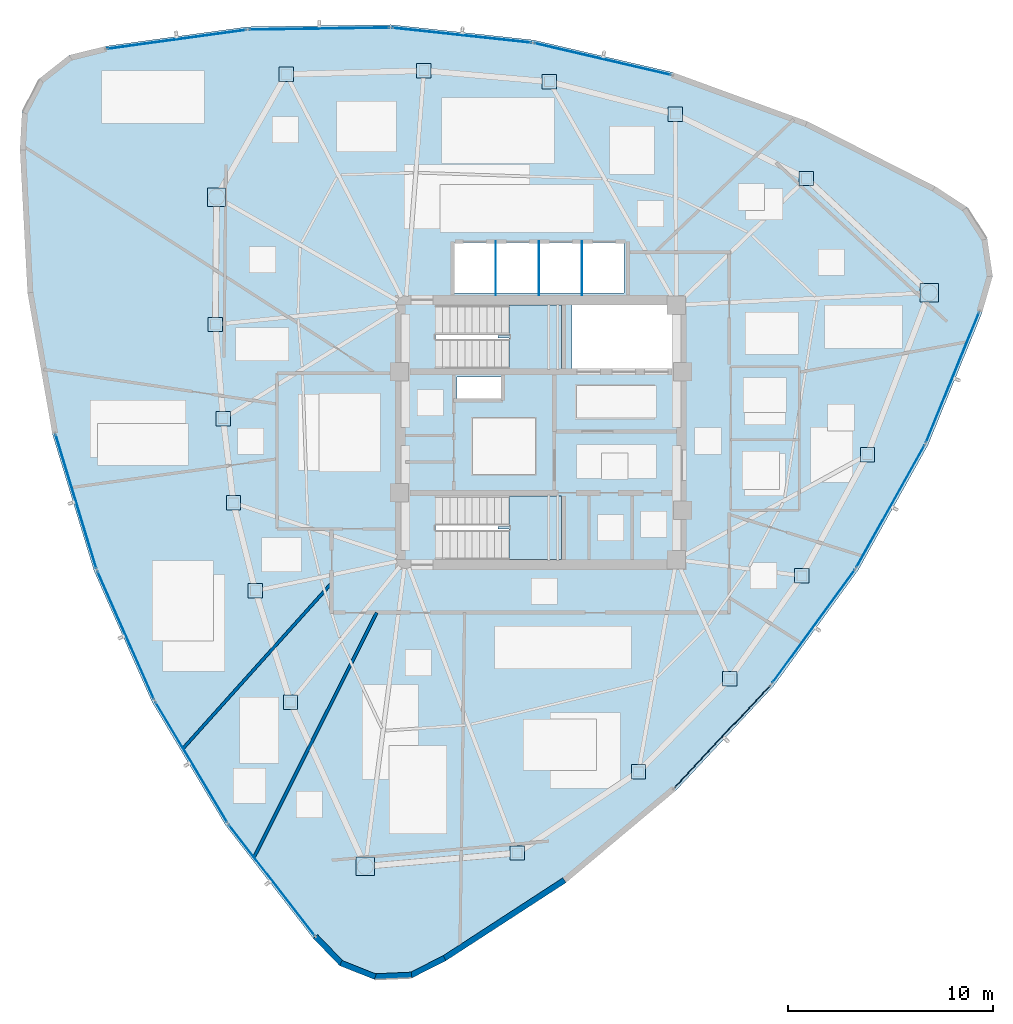
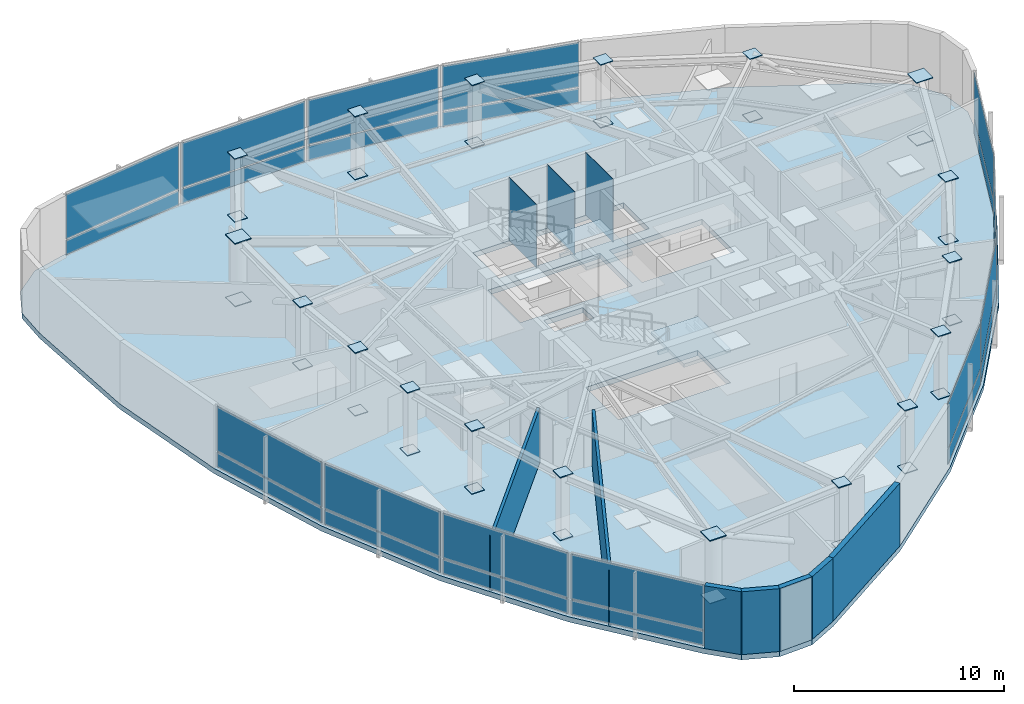
# One storey, part 8 of 14: 63 plates, 7 walls, 3 slabs, 14 elements without a shape of their own.
"""IFC4 building model written with IfcOpenShell, lengths in metres."""

import ifcopenshell
import ifcopenshell.guid

model = None  # the IFC model being written
_history = None  # IfcOwnerHistory: only IFC2X3 demands one
_inside = {}  # id of a spatial element -> (the spatial element, [elements in it])
_under = {}  # id of a project, library or spatial element -> (it, [spatial elements below it])
_declared = {}  # id of a project -> (the project, [libraries it declares])
_typed = {}  # id of a type object -> (the type object, [elements of that type])
_made_of = {}  # id of a material, layer set ... -> (it, [elements and type objects made of it])


def new_model(schema):
    """Start an empty IFC model of exactly this schema.

    Asked for "IFC4X3", IfcOpenShell would pick the latest addendum, in which some entities
    have other attributes; the version numbers below select the first issue.
    IFC2X3 requires an IfcOwnerHistory on every rooted entity: one is made here for all.
    """
    global model, _history
    if schema == "IFC4X3":
        model = ifcopenshell.file(schema_version=(4, 3, 0, 0))
    else:
        model = ifcopenshell.file(schema=schema)
    _inside.clear()
    _under.clear()
    _declared.clear()
    _typed.clear()
    _made_of.clear()
    _history = None
    if model.schema == "IFC2X3":
        org = make("IfcOrganization", Name="unknown")
        user = make(
            "IfcPersonAndOrganization",
            ThePerson=make("IfcPerson", FamilyName="unknown"),
            TheOrganization=org,
        )
        app = make(
            "IfcApplication",
            ApplicationDeveloper=org,
            Version="unknown",
            ApplicationFullName="unknown",
            ApplicationIdentifier="unknown",
        )
        _history = make(
            "IfcOwnerHistory",
            OwningUser=user,
            OwningApplication=app,
            ChangeAction="ADDED",
            CreationDate=0,
        )
    return model


def make(cls, **values):
    """One entity of the class cls with the attributes given. An attribute that is None is left unset."""
    return model.create_entity(
        cls, **{name: value for name, value in values.items() if value is not None}
    )


def rooted(cls, **values):
    """An entity with a GlobalId (a new one), such as an element, a storey or a relation."""
    return make(cls, GlobalId=ifcopenshell.guid.new(), OwnerHistory=_history, **values)


def si_unit(unit_type, name, prefix=None):
    """IfcSIUnit, for example si_unit("LENGTHUNIT", "METRE", prefix="MILLI")."""
    return make("IfcSIUnit", UnitType=unit_type, Prefix=prefix, Name=name)


def assignment(units):
    """IfcUnitAssignment: the units of a project."""
    return None if units is None else make("IfcUnitAssignment", Units=units)


def point(xyz):
    """IfcCartesianPoint."""
    return None if xyz is None else make("IfcCartesianPoint", Coordinates=xyz)


def direction(xyz):
    """IfcDirection."""
    return None if xyz is None else make("IfcDirection", DirectionRatios=xyz)


def frame(location, z_axis=None, x_axis=None):
    """IfcAxis2Placement3D, a coordinate frame: its origin and axes. An axis left out is left unset."""
    return make(
        "IfcAxis2Placement3D",
        Location=point(location),
        Axis=direction(z_axis),
        RefDirection=direction(x_axis),
    )


def frame_2d(location, x_axis=None):
    """IfcAxis2Placement2D, a coordinate frame in the plane: its origin and x axis."""
    return make(
        "IfcAxis2Placement2D", Location=point(location), RefDirection=direction(x_axis)
    )


def origin():
    """The frame at (0, 0, 0) with its axes left unset."""
    return frame((0.0, 0.0, 0.0))


def origin_2d():
    """The frame at (0, 0) in the plane with its x axis left unset."""
    return frame_2d((0.0, 0.0))


def place(relative_to, where):
    """IfcLocalPlacement: puts the frame where relative to a parent placement (None: the world)."""
    return make(
        "IfcLocalPlacement", PlacementRelTo=relative_to, RelativePlacement=where
    )


def context(
    kind, dimensions, precision=None, world=None, true_north=None, identifier=None
):
    """IfcGeometricRepresentationContext, for example the 3D "Model" context."""
    return make(
        "IfcGeometricRepresentationContext",
        ContextIdentifier=identifier,
        ContextType=kind,
        CoordinateSpaceDimension=dimensions,
        Precision=precision,
        WorldCoordinateSystem=world,
        TrueNorth=true_north,
    )


def subcontext(parent, identifier, kind, view, scale=None):
    """IfcGeometricRepresentationSubContext, for example "Body" below "Model"."""
    return make(
        "IfcGeometricRepresentationSubContext",
        ContextIdentifier=identifier,
        ContextType=kind,
        ParentContext=parent,
        TargetScale=scale,
        TargetView=view,
    )


def project(units=None, contexts=None):
    """IfcProject with its units and contexts."""
    return rooted(
        "IfcProject",
        Name="project",
        RepresentationContexts=contexts,
        UnitsInContext=assignment(units),
    )


def spatial(cls, under=None, at=None, **own):
    """A site, building, storey or space (cls), placed at a placement, below another one or the project."""
    s = rooted(cls, ObjectPlacement=at, **own)
    if under is not None:
        _under.setdefault(under.id(), (under, []))[1].append(s)
    return s


def polyline(points):
    """IfcPolyline through the points."""
    return make("IfcPolyline", Points=[point(p) for p in points])


def profile(cls, at=None, kind="AREA", **sizes):
    """A parametric profile (cls). Its sizes go by their IFC names, for example OverallWidth=200.0."""
    return make(cls, ProfileType=kind, Position=at, **sizes)


def rectangle(**sizes):
    """IfcRectangleProfileDef."""
    return profile("IfcRectangleProfileDef", **sizes)


def outline(outer, holes=None, kind="AREA"):
    """IfcArbitraryClosedProfileDef: a profile drawn as a closed curve; with holes, ...WithVoids."""
    if holes is None:
        return make("IfcArbitraryClosedProfileDef", ProfileType=kind, OuterCurve=outer)
    return make(
        "IfcArbitraryProfileDefWithVoids",
        ProfileType=kind,
        OuterCurve=outer,
        InnerCurves=holes,
    )


def extrude(swept, where, along, depth):
    """IfcExtrudedAreaSolid: the profile swept, set in the frame where, extruded along a direction by depth."""
    return make(
        "IfcExtrudedAreaSolid",
        SweptArea=swept,
        Position=where,
        ExtrudedDirection=direction(along),
        Depth=depth,
    )


def shape(context_of_items, identifier, shape_type, items):
    """IfcShapeRepresentation: the items that make up one representation, for example the "Body"."""
    return make(
        "IfcShapeRepresentation",
        ContextOfItems=context_of_items,
        RepresentationIdentifier=identifier,
        RepresentationType=shape_type,
        Items=items,
    )


def source(mapping_origin, context_of_items, identifier, shape_type, items):
    """IfcRepresentationMap: a shape defined once, which mapped items show again and again."""
    return make(
        "IfcRepresentationMap",
        MappingOrigin=mapping_origin,
        MappedRepresentation=shape(context_of_items, identifier, shape_type, items),
    )


def transform(
    local_origin,
    x_axis=None,
    y_axis=None,
    z_axis=None,
    scale=None,
    scale2=None,
    scale3=None,
    uniform=True,
):
    """IfcCartesianTransformationOperator3D, or its non-uniform kind. x_axis, y_axis, z_axis: its Axis1, 2, 3."""
    if uniform:
        return make(
            "IfcCartesianTransformationOperator3D",
            Axis1=direction(x_axis),
            Axis2=direction(y_axis),
            LocalOrigin=point(local_origin),
            Scale=scale,
            Axis3=direction(z_axis),
        )
    return make(
        "IfcCartesianTransformationOperator3DnonUniform",
        Axis1=direction(x_axis),
        Axis2=direction(y_axis),
        LocalOrigin=point(local_origin),
        Scale=scale,
        Axis3=direction(z_axis),
        Scale2=scale2,
        Scale3=scale3,
    )


def mapped(mapping_source, mapping_target):
    """IfcMappedItem: shows the shape of a source again, moved by a transform."""
    return make(
        "IfcMappedItem", MappingSource=mapping_source, MappingTarget=mapping_target
    )


def material(Name=None, Category=None):
    """IfcMaterial."""
    return make("IfcMaterial", Name=Name, Category=Category)


def layer(
    of_material, thickness, ventilated=None, Name=None, Category=None, Priority=None
):
    """IfcMaterialLayer: one layer of a wall or slab, of a material (None: an air gap)."""
    return make(
        "IfcMaterialLayer",
        Material=of_material,
        LayerThickness=thickness,
        IsVentilated=ventilated,
        Name=Name,
        Category=Category,
        Priority=Priority,
    )


def layer_set(layers, Name=None):
    """IfcMaterialLayerSet."""
    return make("IfcMaterialLayerSet", MaterialLayers=layers, LayerSetName=Name)


def made_of(thing, what):
    """Note that an element or type object is made of a material, layer set ...; save() writes the relation."""
    if what is not None:
        _made_of.setdefault(what.id(), (what, []))[1].append(thing)
    return thing


def type_object(cls, material=None, **own):
    """A type object (cls), such as IfcWallType, which elements share."""
    return made_of(rooted(cls, **own), material)


def type_shapes(of_type, sources):
    """Give a type object the sources (RepresentationMaps) that its elements show as mapped items."""
    of_type.RepresentationMaps = sources


def element(
    cls,
    number,
    at=None,
    inside=None,
    cuts=None,
    type_object=None,
    material=None,
    context=None,
    identifier="Body",
    shape_type=None,
    held_by="IfcProductDefinitionShape",
    body=None,
    shapes=None,
    **own,
):
    """One element of the class cls, such as IfcWall. Its Tag is "e" and its number.

    at: its placement. inside: the storey or other place that contains it. cuts: it is an
    opening in that element (IfcRelVoidsElement). A single representation is given by context,
    identifier, shape_type and body (its items); several are given by shapes. held_by: the class
    of the entity that holds the representations. save() writes the other relations.
    """
    e = rooted(cls, Tag="e%d" % number, ObjectPlacement=at, **own)
    if body is not None:
        shapes = [shape(context, identifier, shape_type, body)]
    if shapes is not None:
        e.Representation = make(held_by, Representations=shapes)
    if inside is not None:
        _inside.setdefault(inside.id(), (inside, []))[1].append(e)
    if cuts is not None:
        rooted(
            "IfcRelVoidsElement", RelatingBuildingElement=cuts, RelatedOpeningElement=e
        )
    if type_object is not None:
        _typed.setdefault(type_object.id(), (type_object, []))[1].append(e)
    return made_of(e, material)


def aggregate(whole, parts):
    """IfcRelAggregates: a whole, such as a stair, and the parts it consists of."""
    return rooted("IfcRelAggregates", RelatingObject=whole, RelatedObjects=parts)


def save(model, path):
    """Write the relations noted so far, then the file.

    IfcRelAggregates (storeys below a building ...), IfcRelContainedInSpatialStructure (elements
    in a storey), IfcRelDefinesByType, IfcRelAssociatesMaterial and IfcRelDeclares: one each for
    every whole, place, type object, material and project.
    """
    for whole, parts in _under.values():
        aggregate(whole, parts)
    for where, things in _inside.values():
        rooted(
            "IfcRelContainedInSpatialStructure",
            RelatedElements=things,
            RelatingStructure=where,
        )
    for kind, things in _typed.values():
        rooted("IfcRelDefinesByType", RelatedObjects=things, RelatingType=kind)
    for what, things in _made_of.values():
        rooted("IfcRelAssociatesMaterial", RelatedObjects=things, RelatingMaterial=what)
    for by, libraries in _declared.values():
        rooted("IfcRelDeclares", RelatingContext=by, RelatedDefinitions=libraries)
    model.write(path)


model = new_model("IFC4")

# Units and contexts
model_context = context("Model", 3, precision=1e-05, world=origin(), true_north=direction((0.0, 1.0)))
body_context = subcontext(model_context, "Body", "Model", "MODEL_VIEW")
ifc_project = project(units=[si_unit("LENGTHUNIT", "METRE"), si_unit("AREAUNIT", "SQUARE_METRE"), si_unit("VOLUMEUNIT", "CUBIC_METRE"), si_unit("PLANEANGLEUNIT", "RADIAN"), si_unit("MASSUNIT", "GRAM", prefix="KILO")], contexts=[model_context])

# Site, building, storey
site_placement = place(None, origin())
site = spatial("IfcSite", under=ifc_project, at=site_placement, CompositionType="ELEMENT")
building_placement = place(site_placement, origin())
building = spatial("IfcBuilding", under=site, at=building_placement, Name="Tavelor Broadcast Tower", CompositionType="ELEMENT")
storey_placement = place(building_placement, frame((0.0, 0.0, 253.75)))
storey = spatial("IfcBuildingStorey", under=building, at=storey_placement, Name="L60", CompositionType="ELEMENT", Elevation=253.75)

# Stair, slab
ifc_material_1 = material(Name="Concrete C40/50", Category="concrete")
stair_type = type_object("IfcStairType", Name="Reinforced Concrete Protected Dogleg Stair 1450 mm", PredefinedType="HALF_TURN_STAIR", material=ifc_material_1)
stair_1_placement = place(storey_placement, origin())
stair_1 = element("IfcStair", 1, at=stair_1_placement, inside=storey, type_object=stair_type, Name="L60 Protected Core Exit Stair ST1", PredefinedType="HALF_TURN_STAIR")
ifc_layer_1 = layer(ifc_material_1, 0.199951171875)
ifc_layer_set_1 = layer_set([ifc_layer_1], Name="Concrete C40/50")
slab_type_1 = type_object("IfcSlabType", Name="Reinforced Concrete Stair Half-Landing Slab 200 mm", PredefinedType="LANDING", material=ifc_layer_set_1)
slab_1_placement = place(storey_placement, frame((0.0, 0.0, 1.77490234375)))
slab_1 = element("IfcSlab", 2, at=slab_1_placement, type_object=slab_type_1, Name="ST1 landing 1", PredefinedType="LANDING", context=body_context, shape_type="SweptSolid", body=[
    extrude(outline(polyline([(48.445068359375, 49.590087890625), (48.445068359375, 48.094970703125), (51.0048828125, 48.094970703125), (51.0048828125, 51.205078125), (48.445068359375, 51.205078125), (48.445068359375, 49.7099609375), (47.905029296875, 49.7099609375), (47.905029296875, 49.590087890625), (48.445068359375, 49.590087890625)])), origin(), (0.0, 0.0, 1.0), 0.2001953125),
])
aggregate(stair_1, [slab_1])

stair_2_placement = place(storey_placement, origin())
stair_2 = element("IfcStair", 3, at=stair_2_placement, inside=storey, type_object=stair_type, Name="L60 Protected Core Exit Stair ST2", PredefinedType="HALF_TURN_STAIR")
slab_2_placement = place(storey_placement, frame((0.0, 0.0, 1.77490234375)))
slab_2 = element("IfcSlab", 4, at=slab_2_placement, type_object=slab_type_1, Name="ST2 landing 1", PredefinedType="LANDING", context=body_context, shape_type="SweptSolid", body=[
    extrude(outline(polyline([(48.445068359375, 40.2900390625), (48.445068359375, 38.794921875), (51.0048828125, 38.794921875), (51.0048828125, 41.905029296875), (48.445068359375, 41.905029296875), (48.445068359375, 40.409912109375), (47.905029296875, 40.409912109375), (47.905029296875, 40.2900390625), (48.445068359375, 40.2900390625)])), origin(), (0.0, 0.0, 1.0), 0.2001953125),
])
aggregate(stair_2, [slab_2])

# Slab
ifc_layer_2 = layer(ifc_material_1, 0.300048828125)
ifc_layer_set_2 = layer_set([ifc_layer_2], Name="Concrete C40/50")
slab_type_2 = type_object("IfcSlabType", Name="Tower Composite Floor Slab 300 mm", PredefinedType="FLOOR", material=ifc_layer_set_2)
slab_3_placement = place(storey_placement, frame((0.0, 0.0, -0.300048828125)))
element("IfcSlab", 5, at=slab_3_placement, inside=storey, type_object=slab_type_2, Name="L60 Structural Floor Slab", PredefinedType="FLOOR", context=body_context, shape_type="SweptSolid", body=[
    extrude(outline(polyline([(28.787841796875, 63.813232421875), (27.007080078125, 63.370849609375), (25.56640625, 62.235107421875), (24.720703125, 60.60693359375), (24.619873046875, 58.77490234375), (24.98828125, 51.801513671875), (26.19775390625, 44.923583984375), (28.230712890625, 38.242919921875), (31.05712890625, 31.857177734375), (34.635498046875, 25.8603515625), (38.913330078125, 20.3408203125), (40.186767578125, 19.02001953125), (41.890869140625, 18.340087890625), (43.7236328125, 18.421630859375), (45.360595703125, 19.250244140625), (51.2158203125, 23.05615234375), (56.567138671875, 27.54248046875), (61.33642578125, 32.6435546875), (65.45361328125, 38.2841796875), (68.857666015625, 44.381591796875), (71.498779296875, 50.845947265625), (72.006103515625, 52.609130859375), (71.742919921875, 54.4248046875), (70.755615234375, 55.971435546875), (69.219482421875, 56.974609375), (62.99609375, 60.142333984375), (56.43505859375, 62.53369140625), (49.6328125, 64.11376953125), (42.689453125, 64.858642578125), (35.706787109375, 64.758056640625), (28.787841796875, 63.813232421875)]), holes=[polyline([(50.99609375, 41.89599609375), (50.99609375, 38.803955078125), (44.85400390625, 38.803955078125), (44.85400390625, 41.89599609375), (50.99609375, 41.89599609375)]), polyline([(48.050048828125, 47.699951171875), (48.050048828125, 46.64990234375), (45.89990234375, 46.64990234375), (45.89990234375, 47.699951171875), (48.050048828125, 47.699951171875)]), polyline([(50.99609375, 51.196044921875), (50.99609375, 48.10400390625), (44.85400390625, 48.10400390625), (44.85400390625, 51.196044921875), (50.99609375, 51.196044921875)]), polyline([(56.60009765625, 48.10009765625), (51.52001953125, 48.10009765625), (51.52001953125, 51.199951171875), (56.60009765625, 51.199951171875), (56.60009765625, 48.10009765625)]), polyline([(54.050048828125, 51.800048828125), (45.800048828125, 51.800048828125), (45.800048828125, 54.25), (54.050048828125, 54.25), (54.050048828125, 51.800048828125)])]), origin(), (0.0, 0.0, 1.0), 0.300048828125),
])

# Plates
ifc_material_2 = material(Name="Steel S460", Category="steel")
ifc_layer_3 = layer(ifc_material_2, 0.050048828125)
ifc_layer_set_3 = layer_set([ifc_layer_3], Name="Steel S460")
plate_type_1 = type_object("IfcPlateType", Name="Tube Hollow-End Cap Plate KN05 700x700x50", PredefinedType="USERDEFINED", material=ifc_layer_set_3)
shared_shape_1 = source(origin(), body_context, "Body", "SweptSolid", [
    extrude(rectangle(XDim=0.699951171875, YDim=0.699951171875, at=origin_2d()), origin(), (0.0, 0.0, 1.0), 0.054931640625),
])
for number, where, z_axis, x_axis, name in (
    (6, (34.13720703125, 50.255859375, -0.02734375), (0.0, 0.0, 1.0), (1.0, 0.0, 0.0), "L60 Hollow End Cap Plate KN05 #1761"),
    (7, (34.13720703125, 50.255859375, 3.62255859375), (0.0, 0.0, 1.0), (1.0, 0.0, 0.0), "L60 Hollow End Cap Plate KN05 #1762"),
    (8, (34.513671875, 45.66455078125, -0.02734375), (0.0, 0.0, 1.0), (1.0, 0.0, 0.0), "L60 Hollow End Cap Plate KN05 #1763"),
    (9, (34.513671875, 45.66455078125, 3.62255859375), (0.0, 0.0, 1.0), (1.0, 0.0, 0.0), "L60 Hollow End Cap Plate KN05 #1764"),
    (10, (35.018798828125, 41.56396484375, -0.02734375), (0.0, 0.0, 1.0), (1.0, 0.0, 0.0), "L60 Hollow End Cap Plate KN05 #1765"),
    (11, (35.018798828125, 41.56396484375, 3.62255859375), (0.0, 0.0, 1.0), (1.0, 0.0, 0.0), "L60 Hollow End Cap Plate KN05 #1766"),
    (12, (36.08349609375, 37.2822265625, -0.02734375), (0.0, 0.0, 1.0), (1.0, 0.0, 0.0), "L60 Hollow End Cap Plate KN05 #1767"),
    (13, (36.08349609375, 37.2822265625, 3.62255859375), (0.0, 0.0, 1.0), (1.0, 0.0, 0.0), "L60 Hollow End Cap Plate KN05 #1768"),
    (14, (37.797119140625, 31.853271484375, -0.02734375), (0.0, 0.0, 1.0), (1.0, 0.0, 0.0), "L60 Hollow End Cap Plate KN05 #1769"),
    (15, (37.797119140625, 31.853271484375, 3.62255859375), (0.0, 0.0, 1.0), (1.0, 0.0, 0.0), "L60 Hollow End Cap Plate KN05 #1770"),
    (16, (48.843994140625, 24.5048828125, -0.02734375), (0.0, 0.0, 1.0), (1.0, 0.0, 0.0), "L60 Hollow End Cap Plate KN05 #1773"),
    (17, (48.843994140625, 24.5048828125, 3.62255859375), (0.0, 0.0, 1.0), (1.0, 0.0, 0.0), "L60 Hollow End Cap Plate KN05 #1774"),
    (18, (54.754150390625, 28.461669921875, -0.02734375), (0.0, 0.0, 1.0), (1.0, 0.0, 0.0), "L60 Hollow End Cap Plate KN05 #1775"),
    (19, (54.754150390625, 28.461669921875, 3.62255859375), (0.0, 0.0, 1.0), (1.0, 0.0, 0.0), "L60 Hollow End Cap Plate KN05 #1776"),
    (20, (59.1923828125, 32.987060546875, -0.02734375), (0.0, 0.0, 1.0), (1.0, 0.0, 0.0), "L60 Hollow End Cap Plate KN05 #1777"),
    (21, (59.1923828125, 32.987060546875, 3.62255859375), (0.0, 0.0, 1.0), (1.0, 0.0, 0.0), "L60 Hollow End Cap Plate KN05 #1778"),
    (22, (62.7109375, 38.009033203125, -0.02734375), (0.0, 0.0, 1.0), (1.0, 0.0, 0.0), "L60 Hollow End Cap Plate KN05 #1779"),
    (23, (62.7109375, 38.009033203125, 3.62255859375), (0.0, 0.0, 1.0), (1.0, 0.0, 0.0), "L60 Hollow End Cap Plate KN05 #1780"),
    (24, (65.9072265625, 43.909423828125, -0.02734375), (0.0, 0.0, 1.0), (1.0, 0.0, 0.0), "L60 Hollow End Cap Plate KN05 #1781"),
    (25, (65.9072265625, 43.909423828125, 3.62255859375), (0.0, 0.0, 1.0), (1.0, 0.0, 0.0), "L60 Hollow End Cap Plate KN05 #1782"),
    (26, (62.92724609375, 57.364013671875, -0.02734375), (0.0, 0.0, 1.0), (1.0, 0.0, 0.0), "L60 Hollow End Cap Plate KN05 #1785"),
    (27, (62.92724609375, 57.364013671875, 3.62255859375), (0.0, 0.0, 1.0), (1.0, 0.0, 0.0), "L60 Hollow End Cap Plate KN05 #1786"),
    (28, (56.545654296875, 60.504150390625, -0.02734375), (0.0, 0.0, 1.0), (1.0, 0.0, 0.0), "L60 Hollow End Cap Plate KN05 #1787"),
    (29, (56.545654296875, 60.504150390625, 3.62255859375), (0.0, 0.0, 1.0), (1.0, 0.0, 0.0), "L60 Hollow End Cap Plate KN05 #1788"),
    (30, (50.4072265625, 62.0849609375, -0.02734375), (0.0, 0.0, 1.0), (1.0, 0.0, 0.0), "L60 Hollow End Cap Plate KN05 #1789"),
    (31, (50.4072265625, 62.0849609375, 3.62255859375), (0.0, 0.0, 1.0), (1.0, 0.0, 0.0), "L60 Hollow End Cap Plate KN05 #1790"),
    (32, (44.298828125, 62.621337890625, -0.02734375), (0.0, 0.0, 1.0), (1.0, 0.0, 0.0), "L60 Hollow End Cap Plate KN05 #1791"),
    (33, (44.298828125, 62.621337890625, 3.62255859375), (0.0, 0.0, 1.0), (1.0, 0.0, 0.0), "L60 Hollow End Cap Plate KN05 #1792"),
    (34, (37.5908203125, 62.439208984375, -0.02734375), (0.0, 0.0, 1.0), (1.0, 0.0, 0.0), "L60 Hollow End Cap Plate KN05 #1793"),
    (35, (37.5908203125, 62.439208984375, 3.62255859375), (0.0, 0.0, 1.0), (1.0, 0.0, 0.0), "L60 Hollow End Cap Plate KN05 #1794"),
):
    element("IfcPlate", number, at=place(storey_placement, frame(where, z_axis=z_axis, x_axis=x_axis)), inside=storey, type_object=plate_type_1, Name=name, ObjectType="CAP PLATE", PredefinedType="USERDEFINED", context=body_context, shape_type="MappedRepresentation", body=[
        mapped(shared_shape_1, transform((0.0, 0.0, 0.0), scale=1.0)),
    ])
shared_shape_2 = source(origin(), body_context, "Body", "SweptSolid", [
    extrude(rectangle(XDim=0.89306640625, YDim=0.89306640625, at=origin_2d()), origin(), (0.0, 0.0, 1.0), 0.054931640625),
])
type_shapes(plate_type_1, [shared_shape_1, shared_shape_2])
for number, where, z_axis, x_axis, name in (
    (36, (34.1962890625, 56.4599609375, -0.02734375), (0.0, 0.0, 1.0), (1.0, 0.0, 0.0), "L60 Hollow End Cap Plate KN05 #1759"),
    (37, (34.1962890625, 56.4599609375, 3.62255859375), (0.0, 0.0, 1.0), (1.0, 0.0, 0.0), "L60 Hollow End Cap Plate KN05 #1760"),
    (38, (41.440185546875, 23.853759765625, -0.02734375), (0.0, 0.0, 1.0), (1.0, 0.0, 0.0), "L60 Hollow End Cap Plate KN05 #1771"),
    (39, (41.440185546875, 23.853759765625, 3.62255859375), (0.0, 0.0, 1.0), (1.0, 0.0, 0.0), "L60 Hollow End Cap Plate KN05 #1772"),
    (40, (68.919677734375, 51.799072265625, -0.02734375), (0.0, 0.0, 1.0), (1.0, 0.0, 0.0), "L60 Hollow End Cap Plate KN05 #1783"),
    (41, (68.919677734375, 51.799072265625, 3.62255859375), (0.0, 0.0, 1.0), (1.0, 0.0, 0.0), "L60 Hollow End Cap Plate KN05 #1784"),
):
    element("IfcPlate", number, at=place(storey_placement, frame(where, z_axis=z_axis, x_axis=x_axis)), inside=storey, type_object=plate_type_1, Name=name, ObjectType="CAP PLATE", PredefinedType="USERDEFINED", context=body_context, shape_type="MappedRepresentation", body=[
        mapped(shared_shape_2, transform((0.0, 0.0, 0.0), scale=1.0)),
    ])
ifc_material_3 = material(Name="Steel S355", Category="steel")
ifc_layer_4 = layer(ifc_material_3, 0.011962890625)
ifc_layer_set_4 = layer_set([ifc_layer_4], Name="Steel S355")
plate_type_2 = type_object("IfcPlateType", Name="Hoistway Steel Separator Screen 12 mm", PredefinedType="SHEET", material=ifc_layer_set_4)
shared_shape_3 = source(origin(), body_context, "Body", "SweptSolid", [
    extrude(rectangle(XDim=0.02001953125, YDim=2.6201171875, at=origin_2d()), origin(), (0.0, 0.0, 1.0), 3.64990234375),
])
type_shapes(plate_type_2, [shared_shape_3])
for number, where, z_axis, x_axis, name in (
    (42, (47.800048828125, 52.989990234375, 0.0), (0.0, 0.0, 1.0), (1.0, 0.0, 0.0), "L60 High-Rise Hoistway Separator Screen 1"),
    (43, (49.89990234375, 52.989990234375, 0.0), (0.0, 0.0, 1.0), (1.0, 0.0, 0.0), "L60 High-Rise Hoistway Separator Screen 2"),
    (44, (52.0, 52.989990234375, 0.0), (0.0, 0.0, 1.0), (1.0, 0.0, 0.0), "L60 High-Rise Hoistway Separator Screen 3"),
):
    element("IfcPlate", number, at=place(storey_placement, frame(where, z_axis=z_axis, x_axis=x_axis)), inside=storey, type_object=plate_type_2, Name=name, PredefinedType="SHEET", context=body_context, shape_type="MappedRepresentation", body=[
        mapped(shared_shape_3, transform((0.0, 0.0, 0.0), scale=1.0)),
    ])

# Curtain wall, plate
ifc_material_4 = material(Name="Architectural Anodized Aluminium", Category="aluminium")
ifc_layer_5 = layer(ifc_material_4, 0.199951171875)
ifc_layer_set_5 = layer_set([ifc_layer_5], Name="Architectural Anodized Aluminium")
curtain_wall_type = type_object("IfcCurtainWallType", Name="Tower High-Zone Triple-Glazed Curtain Wall CW04", PredefinedType="NOTDEFINED", material=ifc_layer_set_5)
curtain_wall_1_placement = place(storey_placement, origin())
curtain_wall_1 = element("IfcCurtainWall", 45, at=curtain_wall_1_placement, inside=storey, type_object=curtain_wall_type, Name="L60 Curtain Wall CW04 Run 649", PredefinedType="NOTDEFINED")
ifc_material_5 = material(Name="High-Altitude Triple Glazing 36 mm", Category="glass")
ifc_layer_6 = layer(ifc_material_5, 0.035888671875)
ifc_layer_set_6 = layer_set([ifc_layer_6], Name="High-Altitude Triple Glazing 36 mm")
plate_type_3 = type_object("IfcPlateType", Name="CW04 Insulated Vision Glazing Panel 36 mm", PredefinedType="CURTAIN_PANEL", material=ifc_layer_set_6)
shared_shape_4 = source(origin(), body_context, "Body", "SweptSolid", [
    extrude(rectangle(XDim=6.811279296875, YDim=0.035888671875, at=origin_2d()), origin(), (0.0, 0.0, 1.0), 0.844970703125),
])
plate_1_placement = place(storey_placement, frame((27.345947265625, 41.631103515625, 0.06982421875), z_axis=(0.0, 0.0, 1.0), x_axis=(0.291125551504, -0.956684855771, 0.0)))
plate_1 = element("IfcPlate", 46, at=plate_1_placement, type_object=plate_type_3, Name="CW04 panel 1.1", PredefinedType="CURTAIN_PANEL", context=body_context, shape_type="MappedRepresentation", body=[
    mapped(shared_shape_4, transform((0.0, 0.0, 0.0), scale=1.0)),
])

curtain_wall_2_placement = place(storey_placement, origin())
curtain_wall_2 = element("IfcCurtainWall", 47, at=curtain_wall_2_placement, inside=storey, type_object=curtain_wall_type, Name="L60 Curtain Wall CW04 Run 653", PredefinedType="NOTDEFINED")
plate_2_placement = place(storey_placement, frame((58.844482421875, 30.18310546875, 0.06982421875), z_axis=(0.0, 0.0, 1.0), x_axis=(0.682964318122, 0.730451737059, 0.0)))
plate_2 = element("IfcPlate", 48, at=plate_2_placement, type_object=plate_type_3, Name="CW04 panel 1.1", PredefinedType="CURTAIN_PANEL", context=body_context, shape_type="MappedRepresentation", body=[
    mapped(shared_shape_4, transform((0.0, 0.0, 0.0), scale=1.0)),
])

curtain_wall_3_placement = place(storey_placement, origin())
curtain_wall_3 = element("IfcCurtainWall", 49, at=curtain_wall_3_placement, inside=storey, type_object=curtain_wall_type, Name="L60 Curtain Wall CW04 Run 657", PredefinedType="NOTDEFINED")
plate_3_placement = place(storey_placement, frame((53.009521484375, 63.185791015625, 0.06982421875), z_axis=(0.0, 0.0, 1.0), x_axis=(-0.974073825263, 0.226230375807, 0.0)))
plate_3 = element("IfcPlate", 50, at=plate_3_placement, type_object=plate_type_3, Name="CW04 panel 1.1", PredefinedType="CURTAIN_PANEL", context=body_context, shape_type="MappedRepresentation", body=[
    mapped(shared_shape_4, transform((0.0, 0.0, 0.0), scale=1.0)),
])

# Plate
shared_shape_5 = source(origin(), body_context, "Body", "SweptSolid", [
    extrude(rectangle(XDim=6.811279296875, YDim=0.035888671875, at=origin_2d()), origin(), (0.0, 0.0, 1.0), 2.594970703125),
])
plate_4_placement = place(storey_placement, frame((27.345947265625, 41.631103515625, 0.98486328125), z_axis=(0.0, 0.0, 1.0), x_axis=(0.291125551504, -0.956684855771, 0.0)))
plate_4 = element("IfcPlate", 51, at=plate_4_placement, type_object=plate_type_3, Name="CW04 panel 1.2", PredefinedType="CURTAIN_PANEL", context=body_context, shape_type="MappedRepresentation", body=[
    mapped(shared_shape_5, transform((0.0, 0.0, 0.0), scale=1.0)),
])

aggregate(curtain_wall_1, [plate_1, plate_4])

plate_5_placement = place(storey_placement, frame((58.844482421875, 30.18310546875, 0.98486328125), z_axis=(0.0, 0.0, 1.0), x_axis=(0.682964318122, 0.730451737059, 0.0)))
plate_5 = element("IfcPlate", 52, at=plate_5_placement, type_object=plate_type_3, Name="CW04 panel 1.2", PredefinedType="CURTAIN_PANEL", context=body_context, shape_type="MappedRepresentation", body=[
    mapped(shared_shape_5, transform((0.0, 0.0, 0.0), scale=1.0)),
])

aggregate(curtain_wall_2, [plate_2, plate_5])

plate_6_placement = place(storey_placement, frame((53.009521484375, 63.185791015625, 0.98486328125), z_axis=(0.0, 0.0, 1.0), x_axis=(-0.974073825263, 0.226230375807, 0.0)))
plate_6 = element("IfcPlate", 53, at=plate_6_placement, type_object=plate_type_3, Name="CW04 panel 1.2", PredefinedType="CURTAIN_PANEL", context=body_context, shape_type="MappedRepresentation", body=[
    mapped(shared_shape_5, transform((0.0, 0.0, 0.0), scale=1.0)),
])

aggregate(curtain_wall_3, [plate_3, plate_6])

# Curtain wall, plate
curtain_wall_4_placement = place(storey_placement, origin())
curtain_wall_4 = element("IfcCurtainWall", 54, at=curtain_wall_4_placement, inside=storey, type_object=curtain_wall_type, Name="L60 Curtain Wall CW04 Run 650", PredefinedType="NOTDEFINED")
shared_shape_6 = source(origin(), body_context, "Body", "SweptSolid", [
    extrude(rectangle(XDim=6.796142578125, YDim=0.035888671875, at=origin_2d()), origin(), (0.0, 0.0, 1.0), 0.844970703125),
])
plate_7_placement = place(storey_placement, frame((29.77197265625, 35.106689453125, 0.06982421875), z_axis=(0.0, 0.0, 1.0), x_axis=(0.404744147653, -0.914429972683, 0.0)))
plate_7 = element("IfcPlate", 55, at=plate_7_placement, type_object=plate_type_3, Name="CW04 panel 1.1", PredefinedType="CURTAIN_PANEL", context=body_context, shape_type="MappedRepresentation", body=[
    mapped(shared_shape_6, transform((0.0, 0.0, 0.0), scale=1.0)),
])

curtain_wall_5_placement = place(storey_placement, origin())
curtain_wall_5 = element("IfcCurtainWall", 56, at=curtain_wall_5_placement, inside=storey, type_object=curtain_wall_type, Name="L60 Curtain Wall CW04 Run 655", PredefinedType="NOTDEFINED")
plate_8_placement = place(storey_placement, frame((67.033203125, 41.401123046875, 0.06982421875), z_axis=(0.0, 0.0, 1.0), x_axis=(0.487469435463, 0.873140051475, 0.0)))
plate_8 = element("IfcPlate", 57, at=plate_8_placement, type_object=plate_type_3, Name="CW04 panel 1.1", PredefinedType="CURTAIN_PANEL", context=body_context, shape_type="MappedRepresentation", body=[
    mapped(shared_shape_6, transform((0.0, 0.0, 0.0), scale=1.0)),
])

# Plate
shared_shape_7 = source(origin(), body_context, "Body", "SweptSolid", [
    extrude(rectangle(XDim=6.796142578125, YDim=0.035888671875, at=origin_2d()), origin(), (0.0, 0.0, 1.0), 2.594970703125),
])
plate_9_placement = place(storey_placement, frame((29.77197265625, 35.106689453125, 0.98486328125), z_axis=(0.0, 0.0, 1.0), x_axis=(0.404744147653, -0.914429972683, 0.0)))
plate_9 = element("IfcPlate", 58, at=plate_9_placement, type_object=plate_type_3, Name="CW04 panel 1.2", PredefinedType="CURTAIN_PANEL", context=body_context, shape_type="MappedRepresentation", body=[
    mapped(shared_shape_7, transform((0.0, 0.0, 0.0), scale=1.0)),
])

aggregate(curtain_wall_4, [plate_7, plate_9])

plate_10_placement = place(storey_placement, frame((67.033203125, 41.401123046875, 0.98486328125), z_axis=(0.0, 0.0, 1.0), x_axis=(0.487469435463, 0.873140051475, 0.0)))
plate_10 = element("IfcPlate", 59, at=plate_10_placement, type_object=plate_type_3, Name="CW04 panel 1.2", PredefinedType="CURTAIN_PANEL", context=body_context, shape_type="MappedRepresentation", body=[
    mapped(shared_shape_7, transform((0.0, 0.0, 0.0), scale=1.0)),
])

aggregate(curtain_wall_5, [plate_8, plate_10])

# Curtain wall, plate
curtain_wall_6_placement = place(storey_placement, origin())
curtain_wall_6 = element("IfcCurtainWall", 60, at=curtain_wall_6_placement, inside=storey, type_object=curtain_wall_type, Name="L60 Curtain Wall CW04 Run 651", PredefinedType="NOTDEFINED")
shared_shape_8 = source(origin(), body_context, "Body", "SweptSolid", [
    extrude(rectangle(XDim=6.79638671875, YDim=0.035888671875, at=origin_2d()), origin(), (0.0, 0.0, 1.0), 0.844970703125),
])
plate_11_placement = place(storey_placement, frame((32.966552734375, 28.9306640625, 0.06982421875), z_axis=(0.0, 0.0, 1.0), x_axis=(0.512427160248, -0.858730694362, 0.0)))
plate_11 = element("IfcPlate", 61, at=plate_11_placement, type_object=plate_type_3, Name="CW04 panel 1.1", PredefinedType="CURTAIN_PANEL", context=body_context, shape_type="MappedRepresentation", body=[
    mapped(shared_shape_8, transform((0.0, 0.0, 0.0), scale=1.0)),
])

curtain_wall_7_placement = place(storey_placement, origin())
curtain_wall_7 = element("IfcCurtainWall", 62, at=curtain_wall_7_placement, inside=storey, type_object=curtain_wall_type, Name="L60 Curtain Wall CW04 Run 654", PredefinedType="NOTDEFINED")
plate_12_placement = place(storey_placement, frame((63.281982421875, 35.54638671875, 0.06982421875), z_axis=(0.0, 0.0, 1.0), x_axis=(0.589548394276, 0.807733056651, 0.0)))
plate_12 = element("IfcPlate", 63, at=plate_12_placement, type_object=plate_type_3, Name="CW04 panel 1.1", PredefinedType="CURTAIN_PANEL", context=body_context, shape_type="MappedRepresentation", body=[
    mapped(shared_shape_8, transform((0.0, 0.0, 0.0), scale=1.0)),
])

curtain_wall_8_placement = place(storey_placement, origin())
curtain_wall_8 = element("IfcCurtainWall", 64, at=curtain_wall_8_placement, inside=storey, type_object=curtain_wall_type, Name="L60 Curtain Wall CW04 Run 658", PredefinedType="NOTDEFINED")
plate_13_placement = place(storey_placement, frame((46.146240234375, 64.346923828125, 0.06982421875), z_axis=(0.0, 0.0, 1.0), x_axis=(-0.994292834589, 0.106685327409, 0.0)))
plate_13 = element("IfcPlate", 65, at=plate_13_placement, type_object=plate_type_3, Name="CW04 panel 1.1", PredefinedType="CURTAIN_PANEL", context=body_context, shape_type="MappedRepresentation", body=[
    mapped(shared_shape_8, transform((0.0, 0.0, 0.0), scale=1.0)),
])

curtain_wall_9_placement = place(storey_placement, origin())
curtain_wall_9 = element("IfcCurtainWall", 66, at=curtain_wall_9_placement, inside=storey, type_object=curtain_wall_type, Name="L60 Curtain Wall CW04 Run 659", PredefinedType="NOTDEFINED")
plate_14_placement = place(storey_placement, frame((39.2001953125, 64.66845703125, 0.06982421875), z_axis=(0.0, 0.0, 1.0), x_axis=(-0.999896279325, -0.014402450874, 0.0)))
plate_14 = element("IfcPlate", 67, at=plate_14_placement, type_object=plate_type_3, Name="CW04 panel 1.1", PredefinedType="CURTAIN_PANEL", context=body_context, shape_type="MappedRepresentation", body=[
    mapped(shared_shape_8, transform((0.0, 0.0, 0.0), scale=1.0)),
])

# Plate
shared_shape_9 = source(origin(), body_context, "Body", "SweptSolid", [
    extrude(rectangle(XDim=6.79638671875, YDim=0.035888671875, at=origin_2d()), origin(), (0.0, 0.0, 1.0), 2.594970703125),
])
plate_15_placement = place(storey_placement, frame((32.966552734375, 28.9306640625, 0.98486328125), z_axis=(0.0, 0.0, 1.0), x_axis=(0.512427160248, -0.858730694362, 0.0)))
plate_15 = element("IfcPlate", 68, at=plate_15_placement, type_object=plate_type_3, Name="CW04 panel 1.2", PredefinedType="CURTAIN_PANEL", context=body_context, shape_type="MappedRepresentation", body=[
    mapped(shared_shape_9, transform((0.0, 0.0, 0.0), scale=1.0)),
])

aggregate(curtain_wall_6, [plate_11, plate_15])

plate_16_placement = place(storey_placement, frame((63.281982421875, 35.54638671875, 0.98486328125), z_axis=(0.0, 0.0, 1.0), x_axis=(0.589548394276, 0.807733056651, 0.0)))
plate_16 = element("IfcPlate", 69, at=plate_16_placement, type_object=plate_type_3, Name="CW04 panel 1.2", PredefinedType="CURTAIN_PANEL", context=body_context, shape_type="MappedRepresentation", body=[
    mapped(shared_shape_9, transform((0.0, 0.0, 0.0), scale=1.0)),
])

aggregate(curtain_wall_7, [plate_12, plate_16])

plate_17_placement = place(storey_placement, frame((46.146240234375, 64.346923828125, 0.98486328125), z_axis=(0.0, 0.0, 1.0), x_axis=(-0.994292834589, 0.106685327409, 0.0)))
plate_17 = element("IfcPlate", 70, at=plate_17_placement, type_object=plate_type_3, Name="CW04 panel 1.2", PredefinedType="CURTAIN_PANEL", context=body_context, shape_type="MappedRepresentation", body=[
    mapped(shared_shape_9, transform((0.0, 0.0, 0.0), scale=1.0)),
])

aggregate(curtain_wall_8, [plate_13, plate_17])

plate_18_placement = place(storey_placement, frame((39.2001953125, 64.66845703125, 0.98486328125), z_axis=(0.0, 0.0, 1.0), x_axis=(-0.999896279325, -0.014402450874, 0.0)))
plate_18 = element("IfcPlate", 71, at=plate_18_placement, type_object=plate_type_3, Name="CW04 panel 1.2", PredefinedType="CURTAIN_PANEL", context=body_context, shape_type="MappedRepresentation", body=[
    mapped(shared_shape_9, transform((0.0, 0.0, 0.0), scale=1.0)),
])

aggregate(curtain_wall_9, [plate_14, plate_18])

# Curtain wall, plate
curtain_wall_10_placement = place(storey_placement, origin())
curtain_wall_10 = element("IfcCurtainWall", 72, at=curtain_wall_10_placement, inside=storey, type_object=curtain_wall_type, Name="L60 Curtain Wall CW04 Run 652", PredefinedType="NOTDEFINED")
shared_shape_10 = source(origin(), body_context, "Body", "SweptSolid", [
    extrude(rectangle(XDim=6.812255859375, YDim=0.035888671875, at=origin_2d()), origin(), (0.0, 0.0, 1.0), 0.844970703125),
])
plate_19_placement = place(storey_placement, frame((36.89013671875, 23.179931640625, 0.06982421875), z_axis=(0.0, 0.0, 1.0), x_axis=(0.612571440779, -0.790415226284, 0.0)))
plate_19 = element("IfcPlate", 73, at=plate_19_placement, type_object=plate_type_3, Name="CW04 panel 1.1", PredefinedType="CURTAIN_PANEL", context=body_context, shape_type="MappedRepresentation", body=[
    mapped(shared_shape_10, transform((0.0, 0.0, 0.0), scale=1.0)),
])

curtain_wall_11_placement = place(storey_placement, origin())
curtain_wall_11 = element("IfcCurtainWall", 74, at=curtain_wall_11_placement, inside=storey, type_object=curtain_wall_type, Name="L60 Curtain Wall CW04 Run 656", PredefinedType="NOTDEFINED")
plate_20_placement = place(storey_placement, frame((70.051513671875, 47.674072265625, 0.06982421875), z_axis=(0.0, 0.0, 1.0), x_axis=(0.378210504914, 0.925719619524, 0.0)))
plate_20 = element("IfcPlate", 75, at=plate_20_placement, type_object=plate_type_3, Name="CW04 panel 1.1", PredefinedType="CURTAIN_PANEL", context=body_context, shape_type="MappedRepresentation", body=[
    mapped(shared_shape_10, transform((0.0, 0.0, 0.0), scale=1.0)),
])

curtain_wall_12_placement = place(storey_placement, origin())
curtain_wall_12 = element("IfcCurtainWall", 76, at=curtain_wall_12_placement, inside=storey, type_object=curtain_wall_type, Name="L60 Curtain Wall CW04 Run 660", PredefinedType="NOTDEFINED")
plate_21_placement = place(storey_placement, frame((32.25830078125, 64.145751953125, 0.06982421875), z_axis=(0.0, 0.0, 1.0), x_axis=(-0.990803452493, -0.135308974305, 0.0)))
plate_21 = element("IfcPlate", 77, at=plate_21_placement, type_object=plate_type_3, Name="CW04 panel 1.1", PredefinedType="CURTAIN_PANEL", context=body_context, shape_type="MappedRepresentation", body=[
    mapped(shared_shape_10, transform((0.0, 0.0, 0.0), scale=1.0)),
])

# Plate
shared_shape_11 = source(origin(), body_context, "Body", "SweptSolid", [
    extrude(rectangle(XDim=6.812255859375, YDim=0.035888671875, at=origin_2d()), origin(), (0.0, 0.0, 1.0), 2.594970703125),
])
type_shapes(plate_type_3, [shared_shape_4, shared_shape_5, shared_shape_6, shared_shape_7, shared_shape_8, shared_shape_9, shared_shape_10, shared_shape_11])
plate_22_placement = place(storey_placement, frame((36.89013671875, 23.179931640625, 0.98486328125), z_axis=(0.0, 0.0, 1.0), x_axis=(0.612571440779, -0.790415226284, 0.0)))
plate_22 = element("IfcPlate", 78, at=plate_22_placement, type_object=plate_type_3, Name="CW04 panel 1.2", PredefinedType="CURTAIN_PANEL", context=body_context, shape_type="MappedRepresentation", body=[
    mapped(shared_shape_11, transform((0.0, 0.0, 0.0), scale=1.0)),
])

aggregate(curtain_wall_10, [plate_19, plate_22])

plate_23_placement = place(storey_placement, frame((70.051513671875, 47.674072265625, 0.98486328125), z_axis=(0.0, 0.0, 1.0), x_axis=(0.378210504914, 0.925719619524, 0.0)))
plate_23 = element("IfcPlate", 79, at=plate_23_placement, type_object=plate_type_3, Name="CW04 panel 1.2", PredefinedType="CURTAIN_PANEL", context=body_context, shape_type="MappedRepresentation", body=[
    mapped(shared_shape_11, transform((0.0, 0.0, 0.0), scale=1.0)),
])

aggregate(curtain_wall_11, [plate_20, plate_23])

plate_24_placement = place(storey_placement, frame((32.25830078125, 64.145751953125, 0.98486328125), z_axis=(0.0, 0.0, 1.0), x_axis=(-0.990803452493, -0.135308974305, 0.0)))
plate_24 = element("IfcPlate", 80, at=plate_24_placement, type_object=plate_type_3, Name="CW04 panel 1.2", PredefinedType="CURTAIN_PANEL", context=body_context, shape_type="MappedRepresentation", body=[
    mapped(shared_shape_11, transform((0.0, 0.0, 0.0), scale=1.0)),
])

aggregate(curtain_wall_12, [plate_21, plate_24])

# Walls
ifc_material_6 = material(Name="Precast Concrete C40/50", Category="concrete")
ifc_layer_7 = layer(ifc_material_6, 0.280029296875)
ifc_layer_set_7 = layer_set([ifc_layer_7], Name="Precast Concrete C40/50")
wall_type_1 = type_object("IfcWallType", Name="Insulated Precast Terracotta Facade Wall 280 mm", PredefinedType="STANDARD", material=ifc_layer_set_7)
wall_1_placement = place(storey_placement, frame((39.0166015625, 20.435302734375, 0.0), z_axis=(0.0, 0.0, 1.0), x_axis=(0.694083323377, -0.719894672997, 0.0)))
element("IfcWall", 81, at=wall_1_placement, inside=storey, type_object=wall_type_1, Name="L60 Rounded Corner Structural Cladding Pier 11", PredefinedType="STANDARD", context=body_context, shape_type="SweptSolid", body=[
    extrude(rectangle(XDim=1.816162109375, YDim=0.280029296875, at=frame_2d((0.908203125, 0.0))), origin(), (0.0, 0.0, 1.0), 3.64990234375),
])
for number, where, z_axis, x_axis, name in (
    (82, (40.252685546875, 19.144287109375, 0.0), (0.0, 0.0, 1.0), (0.928802907024, -0.370574095024, 0.0), "L60 Rounded Corner Structural Cladding Pier 12"),
    (83, (41.899658203125, 18.48046875, 0.0), (0.0, 0.0, 1.0), (0.999008865977, 0.044511635551, 0.0), "L60 Rounded Corner Structural Cladding Pier 13"),
):
    element("IfcWall", number, at=place(storey_placement, frame(where, z_axis=z_axis, x_axis=x_axis)), inside=storey, type_object=wall_type_1, Name=name, PredefinedType="STANDARD", context=body_context, shape_type="SweptSolid", body=[
        extrude(rectangle(XDim=1.804443359375, YDim=0.280029296875, at=frame_2d((0.90234375, 0.0))), origin(), (0.0, 0.0, 1.0), 3.64990234375),
    ])
wall_2_placement = place(storey_placement, frame((43.674072265625, 18.553466796875, 0.0), z_axis=(0.0, 0.0, 1.0), x_axis=(0.892170792594, 0.451698214345, 0.0)))
element("IfcWall", 84, at=wall_2_placement, inside=storey, type_object=wall_type_1, Name="L60 Rounded Corner Structural Cladding Pier 14", PredefinedType="STANDARD", context=body_context, shape_type="SweptSolid", body=[
    extrude(rectangle(XDim=1.826904296875, YDim=0.280029296875, at=frame_2d((0.91357421875, 0.0))), origin(), (0.0, 0.0, 1.0), 3.64990234375),
])
wall_3_placement = place(storey_placement, frame((45.278076171875, 19.363525390625, 0.0), z_axis=(0.0, 0.0, 1.0), x_axis=(0.838435644582, 0.545000614581, 0.0)))
element("IfcWall", 85, at=wall_3_placement, inside=storey, type_object=wall_type_1, Name="L60 Rounded Corner Structural Cladding Pier 15", PredefinedType="STANDARD", context=body_context, shape_type="SweptSolid", body=[
    extrude(rectangle(XDim=6.997314453125, YDim=0.280029296875, at=frame_2d((3.49853515625, 0.0))), origin(), (0.0, 0.0, 1.0), 3.64990234375),
])
ifc_material_7 = material(Name="Gypsum Acoustic Plasterboard 150 mm", Category="gypsum")
ifc_layer_8 = layer(ifc_material_7, 0.14990234375)
ifc_layer_set_8 = layer_set([ifc_layer_8], Name="Gypsum Acoustic Plasterboard 150 mm")
wall_type_2 = type_object("IfcWallType", Name="Interior Acoustic Partition Wall 150 mm", PredefinedType="PARTITIONING", material=ifc_layer_set_8)
wall_4_placement = place(storey_placement, frame((39.800048828125, 37.653076171875, 0.0), z_axis=(0.0, 0.0, 1.0), x_axis=(-0.668272256162, -0.743916790806, 0.0)))
element("IfcWall", 86, at=wall_4_placement, inside=storey, type_object=wall_type_2, Name="L60 Radial Compartment Wall 04", PredefinedType="PARTITIONING", context=body_context, shape_type="SweptSolid", body=[
    extrude(rectangle(XDim=10.834716796875, YDim=0.14990234375, at=frame_2d((5.41748046875, 0.0))), origin(), (0.0, 0.0, 1.0), 3.175048828125),
])
wall_5_placement = place(storey_placement, frame((41.998291015625, 36.219970703125, 0.0), z_axis=(0.0, 0.0, 1.0), x_axis=(-0.448164626772, -0.893951043017, 0.0)))
element("IfcWall", 87, at=wall_5_placement, inside=storey, type_object=wall_type_2, Name="L60 Radial Compartment Wall 05", PredefinedType="PARTITIONING", context=body_context, shape_type="SweptSolid", body=[
    extrude(rectangle(XDim=13.345458984375, YDim=0.14990234375, at=frame_2d((6.6728515625, 0.0))), origin(), (0.0, 0.0, 1.0), 3.175048828125),
])

save(model, "model.ifc")
